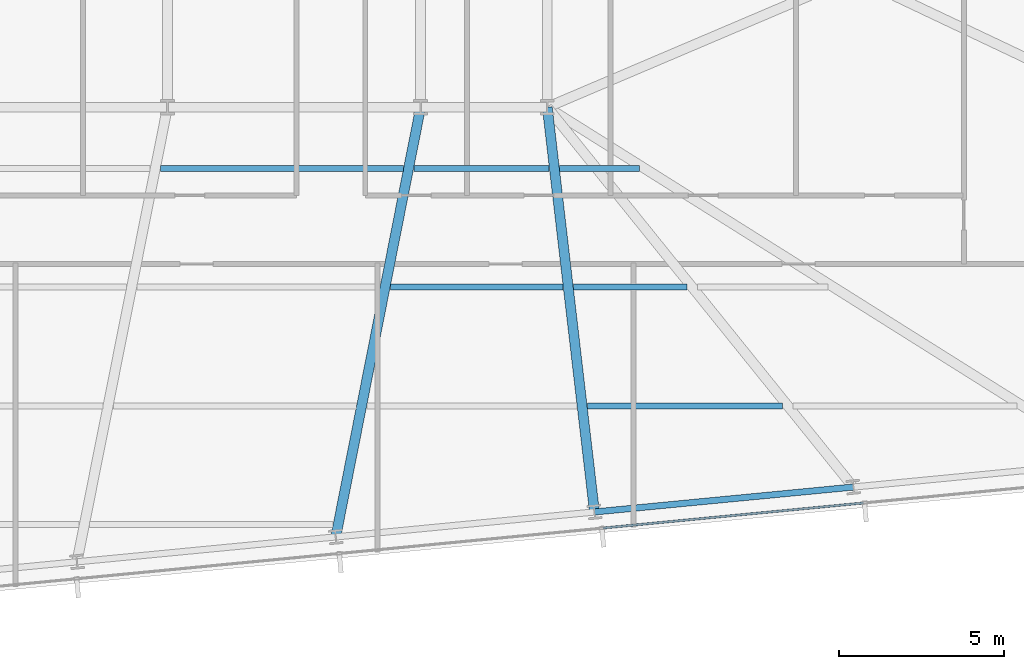
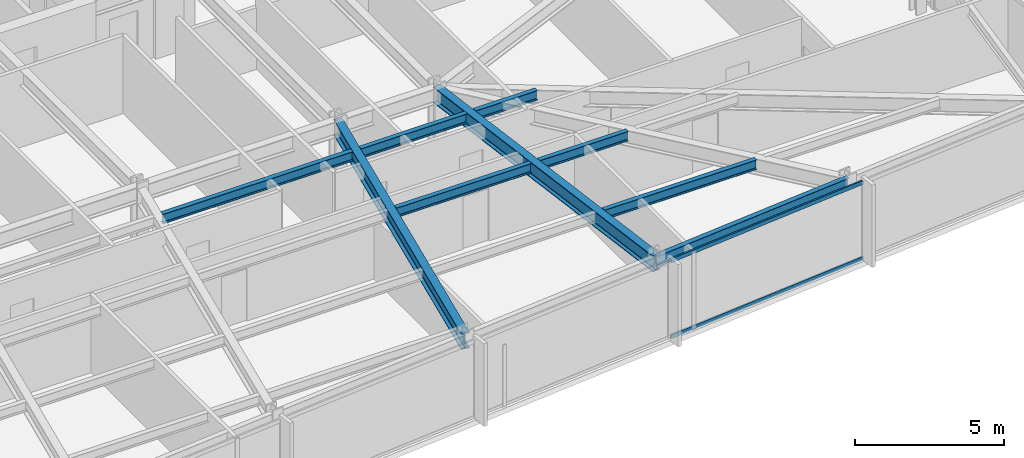
# One storey, part 11 of 33: 9 beams, 2 members, 1 element without a shape of its own.
"""IFC4 building model written with IfcOpenShell, lengths in metres."""

from ifc_helpers import new_model, si_unit, direction, frame, origin, origin_2d, place, context, subcontext, project, spatial, hollow_rectangle, i_section, extrude, material, material_profile, profile_set, type_object, element, aggregate, save


model = new_model("IFC4")

# Units and contexts
model_context = context("Model", 3, precision=1e-05, world=origin(), true_north=direction((0.0, 1.0)))
body_context = subcontext(model_context, "Body", "Model", "MODEL_VIEW")
ifc_project = project(units=[si_unit("LENGTHUNIT", "METRE"), si_unit("AREAUNIT", "SQUARE_METRE"), si_unit("VOLUMEUNIT", "CUBIC_METRE"), si_unit("PLANEANGLEUNIT", "RADIAN"), si_unit("MASSUNIT", "GRAM", prefix="KILO")], contexts=[model_context])

# Site, building, storey
site_placement = place(None, origin())
site = spatial("IfcSite", under=ifc_project, at=site_placement, CompositionType="ELEMENT")
building_placement = place(site_placement, origin())
building = spatial("IfcBuilding", under=site, at=building_placement, Name="Yelkora Congress Tower", CompositionType="ELEMENT")
storey_placement = place(building_placement, frame((0.0, 0.0, 127.10009765625)))
storey = spatial("IfcBuildingStorey", under=building, at=storey_placement, Name="L34", CompositionType="ELEMENT", Elevation=127.10009765625)

# Beams
ifc_material_1 = material(Name="Steel S355J2", Category="steel")
ifc_material_profile_1 = material_profile(ifc_material_1, i_section(OverallWidth=0.300048828125, OverallDepth=0.64990234375, WebThickness=0.01611328125, FlangeThickness=0.031005859375, FilletRadius=0.027099609375, at=origin_2d()), Name="HEB 650")
ifc_profile_set_1 = profile_set([ifc_material_profile_1], Name="Steel S355J2")
beam_type_1 = type_object("IfcBeamType", Name="BM-GIRD-HEB650", PredefinedType="BEAM", material=ifc_profile_set_1)
beam_1_placement = place(storey_placement, frame((51.18359375, 12.16748046875, 2.85498046875), z_axis=(0.193938615251, 0.981013666324, 0.0), x_axis=(-0.981013666324, 0.193938615251, 0.0)))
element("IfcBeam", 1, at=beam_1_placement, inside=storey, type_object=beam_type_1, Name="L34 Primary Frame Girder S05", PredefinedType="BEAM", context=body_context, shape_type="SweptSolid", body=[
    extrude(i_section(OverallWidth=0.300048828125, OverallDepth=0.64990234375, WebThickness=0.01611328125, FlangeThickness=0.031005859375, FilletRadius=0.027099609375, at=origin_2d()), origin(), (0.0, 0.0, 1.0), 13.28466796875),
])
beam_2_placement = place(storey_placement, frame((59.033203125, 12.92333984375, 2.85498046875), z_axis=(-0.115947280821, 0.993255369011, 0.0), x_axis=(-0.993255369011, -0.115947280821, 0.0)))
element("IfcBeam", 2, at=beam_2_placement, inside=storey, type_object=beam_type_1, Name="L34 Primary Frame Girder S06", PredefinedType="BEAM", context=body_context, shape_type="SweptSolid", body=[
    extrude(i_section(OverallWidth=0.300048828125, OverallDepth=0.64990234375, WebThickness=0.01611328125, FlangeThickness=0.031005859375, FilletRadius=0.027099609375, at=origin_2d()), origin(), (0.0, 0.0, 1.0), 12.35986328125),
])
ifc_material_profile_2 = material_profile(ifc_material_1, i_section(OverallWidth=0.179931640625, OverallDepth=0.39990234375, WebThickness=0.008544921875, FlangeThickness=0.013427734375, FilletRadius=0.02099609375, at=origin_2d()), Name="IPE 400")
ifc_profile_set_2 = profile_set([ifc_material_profile_2], Name="Steel S355J2")
beam_type_2 = type_object("IfcBeamType", Name="BM-JOIST-IPE400", PredefinedType="JOIST", material=ifc_profile_set_2)
beam_3_placement = place(storey_placement, frame((58.817138671875, 16.144287109375, 2.97998046875), z_axis=(1.0, 0.0, 0.0), x_axis=(0.0, 1.0, 0.0)))
element("IfcBeam", 3, at=beam_3_placement, inside=storey, type_object=beam_type_2, Name="L34 Composite Floor Joist 9", PredefinedType="JOIST", context=body_context, shape_type="SweptSolid", body=[
    extrude(i_section(OverallWidth=0.179931640625, OverallDepth=0.39990234375, WebThickness=0.008544921875, FlangeThickness=0.013427734375, FilletRadius=0.02099609375, at=origin_2d()), origin(), (0.0, 0.0, 1.0), 5.919189453125),
])
beam_4_placement = place(storey_placement, frame((52.841552734375, 19.744384765625, 2.97998046875), z_axis=(1.0, 0.0, 0.0), x_axis=(0.0, 1.0, 0.0)))
element("IfcBeam", 4, at=beam_4_placement, inside=storey, type_object=beam_type_2, Name="L34 Composite Floor Joist 15", PredefinedType="JOIST", context=body_context, shape_type="SweptSolid", body=[
    extrude(i_section(OverallWidth=0.179931640625, OverallDepth=0.39990234375, WebThickness=0.008544921875, FlangeThickness=0.013427734375, FilletRadius=0.02099609375, at=origin_2d()), origin(), (0.0, 0.0, 1.0), 5.2353515625),
])
beam_5_placement = place(storey_placement, frame((58.39697265625, 19.744384765625, 2.97998046875), z_axis=(1.0, 0.0, 0.0), x_axis=(0.0, 1.0, 0.0)))
element("IfcBeam", 5, at=beam_5_placement, inside=storey, type_object=beam_type_2, Name="L34 Composite Floor Joist 16", PredefinedType="JOIST", context=body_context, shape_type="SweptSolid", body=[
    extrude(i_section(OverallWidth=0.179931640625, OverallDepth=0.39990234375, WebThickness=0.008544921875, FlangeThickness=0.013427734375, FilletRadius=0.02099609375, at=origin_2d()), origin(), (0.0, 0.0, 1.0), 3.438720703125),
])
beam_6_placement = place(storey_placement, frame((45.87060546875, 23.344482421875, 2.97998046875), z_axis=(1.0, 0.0, 0.0), x_axis=(0.0, 1.0, 0.0)))
element("IfcBeam", 6, at=beam_6_placement, inside=storey, type_object=beam_type_2, Name="L34 Composite Floor Joist 21", PredefinedType="JOIST", context=body_context, shape_type="SweptSolid", body=[
    extrude(i_section(OverallWidth=0.179931640625, OverallDepth=0.39990234375, WebThickness=0.008544921875, FlangeThickness=0.013427734375, FilletRadius=0.02099609375, at=origin_2d()), origin(), (0.0, 0.0, 1.0), 7.362548828125),
])
beam_7_placement = place(storey_placement, frame((53.55322265625, 23.344482421875, 2.97998046875), z_axis=(1.0, 0.0, 0.0), x_axis=(0.0, 1.0, 0.0)))
element("IfcBeam", 7, at=beam_7_placement, inside=storey, type_object=beam_type_2, Name="L34 Composite Floor Joist 22", PredefinedType="JOIST", context=body_context, shape_type="SweptSolid", body=[
    extrude(i_section(OverallWidth=0.179931640625, OverallDepth=0.39990234375, WebThickness=0.008544921875, FlangeThickness=0.013427734375, FilletRadius=0.02099609375, at=origin_2d()), origin(), (0.0, 0.0, 1.0), 4.103271484375),
])
beam_8_placement = place(storey_placement, frame((57.9765625, 23.344482421875, 2.97998046875), z_axis=(1.0, 0.0, 0.0), x_axis=(0.0, 1.0, 0.0)))
element("IfcBeam", 8, at=beam_8_placement, inside=storey, type_object=beam_type_2, Name="L34 Composite Floor Joist 23", PredefinedType="JOIST", context=body_context, shape_type="SweptSolid", body=[
    extrude(i_section(OverallWidth=0.179931640625, OverallDepth=0.39990234375, WebThickness=0.008544921875, FlangeThickness=0.013427734375, FilletRadius=0.02099609375, at=origin_2d()), origin(), (0.0, 0.0, 1.0), 2.41650390625),
])
ifc_material_profile_3 = material_profile(ifc_material_1, i_section(OverallWidth=0.18994140625, OverallDepth=0.449951171875, WebThickness=0.009521484375, FlangeThickness=0.0146484375, FilletRadius=0.02099609375, at=origin_2d()), Name="IPE 450")
ifc_profile_set_3 = profile_set([ifc_material_profile_3], Name="Steel S355J2")
beam_type_3 = type_object("IfcBeamType", Name="BM-SPAN-IPE450", PredefinedType="SPANDREL", material=ifc_profile_set_3)
beam_9_placement = place(storey_placement, frame((59.033203125, 12.92333984375, 2.954833984375), z_axis=(0.995395575667, 0.095852219286, 0.0), x_axis=(-0.095852219286, 0.995395575667, 0.0)))
element("IfcBeam", 9, at=beam_9_placement, inside=storey, type_object=beam_type_3, Name="L34 Perimeter Beam 8", PredefinedType="SPANDREL", context=body_context, shape_type="SweptSolid", body=[
    extrude(i_section(OverallWidth=0.18994140625, OverallDepth=0.449951171875, WebThickness=0.009521484375, FlangeThickness=0.0146484375, FilletRadius=0.02099609375, at=origin_2d()), origin(), (0.0, 0.0, 1.0), 7.8857421875),
])

# Curtain wall, members
ifc_material_2 = material(Name="Anodised aluminium and insulated glass", Category="aluminium")
curtain_wall_type = type_object("IfcCurtainWallType", Name="CW-SYS-B2", PredefinedType="NOTDEFINED", material=ifc_material_2)
curtain_wall_placement = place(storey_placement, origin())
curtain_wall = element("IfcCurtainWall", 10, at=curtain_wall_placement, inside=storey, type_object=curtain_wall_type, Name="L34 Unitised Curtain Wall 20", PredefinedType="NOTDEFINED")
ifc_material_3 = material(Name="Anodised aluminium 6063-T6", Category="aluminium")
ifc_material_profile_4 = material_profile(ifc_material_3, hollow_rectangle(XDim=0.06494140625, YDim=0.159912109375, WallThickness=0.00390625, at=origin_2d()), Name="ALU 65x160x4")
ifc_profile_set_4 = profile_set([ifc_material_profile_4], Name="Anodised aluminium 6063-T6")
member_type = type_object("IfcMemberType", Name="MEM-TR-B2", PredefinedType="USERDEFINED", material=ifc_profile_set_4)
member_1_placement = place(storey_placement, frame((67.18798828125, 13.1962890625, 0.032470703125), z_axis=(-0.995397293396, -0.095834379534, 0.0), x_axis=(0.095834379534, -0.995397293396, 0.0)))
member_1 = element("IfcMember", 11, at=member_1_placement, type_object=member_type, Name="CW-B2 transom 2.1", ObjectType="TRANSOM", PredefinedType="USERDEFINED", context=body_context, shape_type="SweptSolid", body=[
    extrude(hollow_rectangle(XDim=0.06494140625, YDim=0.159912109375, WallThickness=0.00390625, at=origin_2d()), origin(), (0.0, 0.0, 1.0), 7.93310546875),
])
member_2_placement = place(storey_placement, frame((67.18798828125, 13.1962890625, 3.1474609375), z_axis=(-0.995397293396, -0.095834379534, 0.0), x_axis=(0.095834379534, -0.995397293396, 0.0)))
member_2 = element("IfcMember", 12, at=member_2_placement, type_object=member_type, Name="CW-B2 transom 2.2", ObjectType="TRANSOM", PredefinedType="USERDEFINED", context=body_context, shape_type="SweptSolid", body=[
    extrude(hollow_rectangle(XDim=0.06494140625, YDim=0.159912109375, WallThickness=0.00390625, at=origin_2d()), origin(), (0.0, 0.0, 1.0), 7.93310546875),
])
aggregate(curtain_wall, [member_1, member_2])

save(model, "model.ifc")
